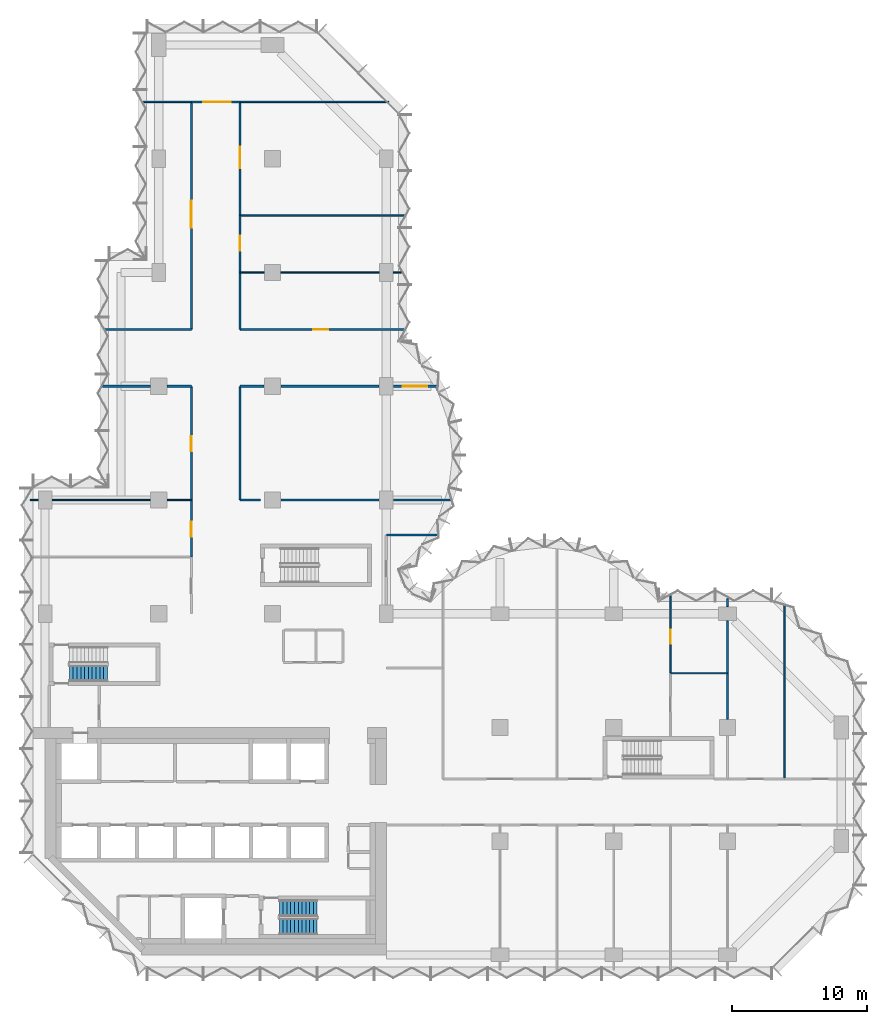
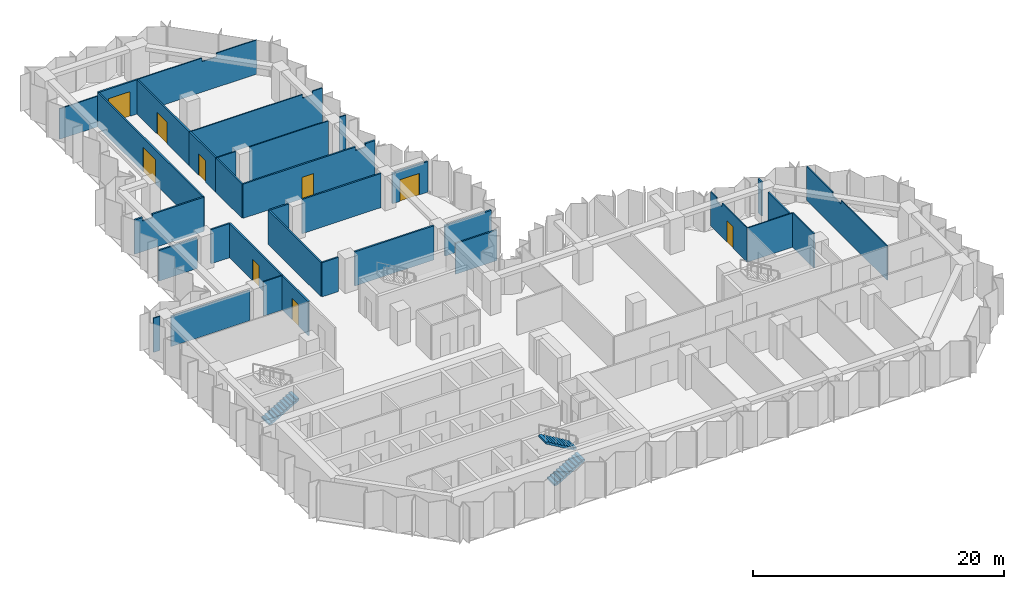
# One storey, part 8 of 11: 34 walls, 9 doors, 3 stair flights, 9 openings, 2 elements without a shape of their own.
"""IFC4 building model written with IfcOpenShell, lengths in metres."""

from ifc_helpers import new_model, si_unit, direction, frame, frame_2d, origin, place, context, subcontext, project, spatial, polyline, rectangle, outline, extrude, material, layer, layer_set, type_object, element, fill, aggregate, save


model = new_model("IFC4")

# Units and contexts
model_context = context("Model", 3, precision=1e-05, world=origin(), true_north=direction((0.0, 1.0)))
body_context = subcontext(model_context, "Body", "Model", "MODEL_VIEW")
ifc_project = project(units=[si_unit("LENGTHUNIT", "METRE"), si_unit("AREAUNIT", "SQUARE_METRE"), si_unit("VOLUMEUNIT", "CUBIC_METRE"), si_unit("PLANEANGLEUNIT", "RADIAN"), si_unit("MASSUNIT", "GRAM", prefix="KILO")], contexts=[model_context])

# Site, building, storey
site_placement = place(None, origin())
site = spatial("IfcSite", under=ifc_project, at=site_placement, CompositionType="ELEMENT")
building_placement = place(site_placement, origin())
building = spatial("IfcBuilding", under=site, at=building_placement, Name="Brevane Broadcast Tower", CompositionType="ELEMENT")
storey_placement = place(building_placement, frame((0.0, 0.0, 149.300048828125)))
storey = spatial("IfcBuildingStorey", under=building, at=storey_placement, Name="L37", CompositionType="ELEMENT", Elevation=149.300048828125)

# Wall, opening, door
ifc_material_1 = material(Name="Gypsum board partition")
ifc_layer_1 = layer(ifc_material_1, 0.10009765625)
ifc_layer_set_1 = layer_set([ifc_layer_1], Name="PARTITION 100 STUD")
wall_type_1 = type_object("IfcWallType", Name="PARTITION 100 STUD", PredefinedType="PARTITIONING", material=ifc_layer_set_1)
wall_1_placement = place(storey_placement, frame((46.199951171875, 26.56494140625, 0.0), z_axis=(0.0, 0.0, 1.0), x_axis=(0.0, -1.0, 0.0)))
wall_1 = element("IfcWall", 1, at=wall_1_placement, inside=storey, type_object=wall_type_1, Name="Partition G11-031", PredefinedType="PARTITIONING", context=body_context, shape_type="SweptSolid", body=[
    extrude(outline(polyline([(0.0, 0.0), (5.764892578125, 0.0), (5.764892578125, 3.329833984375), (1.81494140625, 3.329833984375), (1.81298828125, 2.97998046875), (0.9169921875, 2.97998046875), (0.9150390625, 3.329833984375), (0.264892578125, 3.329833984375), (0.0, 3.329833984375), (0.0, 0.0)])), frame((0.0, 0.050048828125, 0.0), z_axis=(0.0, -1.0, 0.0), x_axis=(1.0, 0.0, 0.0)), (0.0, 0.0, 1.0), 0.10009765625),
])
opening_1_placement = place(wall_1_placement, frame((2.56494140625, 0.0, 0.0)))
opening_1 = element("IfcOpeningElement", 2, at=opening_1_placement, cuts=wall_1, Name="Opening D18-011", PredefinedType="OPENING", context=body_context, shape_type="SweptSolid", body=[
    extrude(rectangle(XDim=1.0, YDim=2.10009765625, at=frame_2d((0.5, 1.050048828125))), frame((0.0, 0.06005859375, 0.0), z_axis=(0.0, -1.0, 0.0), x_axis=(1.0, 0.0, 0.0)), (0.0, 0.0, 1.0), 0.1201171875),
])
ifc_material_2 = material(Name="Timber door leaf", Category="wood")
door_type_1 = type_object("IfcDoorType", Name="DOOR SINGLE 1000 INTERNAL", OperationType="SINGLE_SWING_LEFT", PredefinedType="DOOR", material=ifc_material_2)
door_1_placement = place(opening_1_placement, origin())
door_1 = element("IfcDoor", 3, at=door_1_placement, inside=storey, type_object=door_type_1, Name="Door D18-011", OperationType="SINGLE_SWING_LEFT", OverallHeight=2.10009765625, OverallWidth=1.0, PredefinedType="DOOR", context=body_context, shape_type="SweptSolid", body=[
    extrude(rectangle(XDim=1.0, YDim=2.10009765625, at=frame_2d((0.5, 1.050048828125))), frame((0.0, 0.02490234375, 0.0), z_axis=(0.0, -1.0, 0.0), x_axis=(1.0, 0.0, 0.0)), (0.0, 0.0, 1.0), 0.050048828125),
])
fill(opening_1, door_1)

# Walls
wall_2_placement = place(storey_placement, frame((46.199951171875, 20.800048828125, 0.0), z_axis=(0.0, 0.0, 1.0), x_axis=(1.0, 0.0, 0.0)))
element("IfcWall", 4, at=wall_2_placement, inside=storey, type_object=wall_type_1, Name="Partition G11-032", PredefinedType="PARTITIONING", context=body_context, shape_type="SweptSolid", body=[
    extrude(rectangle(XDim=4.199951171875, YDim=0.10009765625, at=frame_2d((2.10009765625, 0.0))), origin(), (0.0, 0.0, 1.0), 3.329833984375),
])
wall_3_placement = place(storey_placement, frame((54.60009765625, 25.805419921875, 0.0), z_axis=(0.0, 0.0, 1.0), x_axis=(0.0, -1.0, 0.0)))
element("IfcWall", 5, at=wall_3_placement, inside=storey, type_object=wall_type_1, Name="Partition G11-037", PredefinedType="PARTITIONING", context=body_context, shape_type="SweptSolid", body=[
    extrude(outline(polyline([(0.0, 0.0), (12.805419921875, 0.0), (12.805419921875, 3.329833984375), (5.47119140625, 3.329833984375), (5.468994140625, 2.97998046875), (4.1416015625, 2.97998046875), (4.1396484375, 3.329833984375), (0.405517578125, 3.329833984375), (0.0, 3.329833984375), (0.0, 0.0)])), frame((0.0, 0.050048828125, 0.0), z_axis=(0.0, -1.0, 0.0), x_axis=(1.0, 0.0, 0.0)), (0.0, 0.0, 1.0), 0.10009765625),
])
wall_4_placement = place(storey_placement, frame((10.800048828125, 63.0, 0.0), z_axis=(0.0, 0.0, 1.0), x_axis=(-1.0, 0.0, 0.0)))
element("IfcWall", 6, at=wall_4_placement, inside=storey, type_object=wall_type_1, Name="Partition G11-050", PredefinedType="PARTITIONING", context=body_context, shape_type="SweptSolid", body=[
    extrude(rectangle(XDim=3.573974609375, YDim=0.10009765625, at=frame_2d((1.787109375, 0.0))), origin(), (0.0, 0.0, 1.0), 2.97998046875),
])
wall_5_placement = place(storey_placement, frame((25.39990234375, 63.0, 0.0), z_axis=(0.0, 0.0, 1.0), x_axis=(-1.0, 0.0, 0.0)))
element("IfcWall", 7, at=wall_5_placement, inside=storey, type_object=wall_type_1, Name="Partition G11-051", PredefinedType="PARTITIONING", context=body_context, shape_type="SweptSolid", body=[
    extrude(outline(polyline([(0.0, 0.0), (11.0, 0.0), (11.0, 3.329833984375), (5.065673828125, 3.329833984375), (5.063720703125, 2.97998046875), (3.736328125, 2.97998046875), (3.734375, 3.329833984375), (0.0, 3.329833984375), (0.0, 0.0)])), frame((0.0, 0.050048828125, 0.0), z_axis=(0.0, -1.0, 0.0), x_axis=(1.0, 0.0, 0.0)), (0.0, 0.0, 1.0), 0.10009765625),
])
wall_6_placement = place(storey_placement, frame((-1.10009765625, 33.60009765625, 0.0), z_axis=(0.0, 0.0, 1.0), x_axis=(1.0, 0.0, 0.0)))
element("IfcWall", 8, at=wall_6_placement, inside=storey, type_object=wall_type_1, Name="Partition G11-056", PredefinedType="PARTITIONING", context=body_context, shape_type="SweptSolid", body=[
    extrude(rectangle(XDim=0.580078125, YDim=0.10009765625, at=frame_2d((0.2900390625, 0.0))), origin(), (0.0, 0.0, 1.0), 3.329833984375),
])
wall_7_placement = place(storey_placement, frame((0.52001953125, 33.60009765625, 0.0), z_axis=(0.0, 0.0, 1.0), x_axis=(1.0, 0.0, 0.0)))
element("IfcWall", 9, at=wall_7_placement, inside=storey, type_object=wall_type_1, Name="Partition G11-057", PredefinedType="PARTITIONING", context=body_context, shape_type="SweptSolid", body=[
    extrude(outline(polyline([(0.0, 0.0), (7.260009765625, 0.0), (7.260009765625, 2.97998046875), (0.0, 2.97998046875), (0.0, 0.0)])), frame((0.0, 0.050048828125, 0.0), z_axis=(0.0, -1.0, 0.0), x_axis=(1.0, 0.0, 0.0)), (0.0, 0.0, 1.0), 0.10009765625),
])
for number, where, z_axis, x_axis, name in (
    (10, (9.02001953125, 33.60009765625, 0.0), (0.0, 0.0, 1.0), (1.0, 0.0, 0.0), "Partition G11-058"),
    (11, (14.39990234375, 50.39990234375, 0.0), (0.0, 0.0, 1.0), (1.0, 0.0, 0.0), "Partition G11-063"),
):
    element("IfcWall", number, at=place(storey_placement, frame(where, z_axis=z_axis, x_axis=x_axis)), inside=storey, type_object=wall_type_1, Name=name, PredefinedType="PARTITIONING", context=body_context, shape_type="SweptSolid", body=[
        extrude(rectangle(XDim=1.780029296875, YDim=0.10009765625, at=frame_2d((0.89013671875, 0.0))), origin(), (0.0, 0.0, 1.0), 3.329833984375),
    ])
wall_8_placement = place(storey_placement, frame((17.419921875, 50.39990234375, 0.0), z_axis=(0.0, 0.0, 1.0), x_axis=(1.0, 0.0, 0.0)))
element("IfcWall", 12, at=wall_8_placement, inside=storey, type_object=wall_type_1, Name="Partition G11-064", PredefinedType="PARTITIONING", context=body_context, shape_type="SweptSolid", body=[
    extrude(rectangle(XDim=7.260009765625, YDim=0.10009765625, at=frame_2d((3.6298828125, 0.0))), origin(), (0.0, 0.0, 1.0), 3.329833984375),
])
wall_9_placement = place(storey_placement, frame((25.719970703125, 50.39990234375, 0.0), z_axis=(0.0, 0.0, 1.0), x_axis=(1.0, 0.0, 0.0)))
element("IfcWall", 13, at=wall_9_placement, inside=storey, type_object=wall_type_1, Name="Partition G11-065", PredefinedType="PARTITIONING", context=body_context, shape_type="SweptSolid", body=[
    extrude(rectangle(XDim=0.580078125, YDim=0.10009765625, at=frame_2d((0.2900390625, 0.0))), origin(), (0.0, 0.0, 1.0), 3.329833984375),
])
wall_10_placement = place(storey_placement, frame((14.39990234375, 54.60009765625, 0.0), z_axis=(0.0, 0.0, 1.0), x_axis=(1.0, 0.0, 0.0)))
element("IfcWall", 14, at=wall_10_placement, inside=storey, type_object=wall_type_1, Name="Partition G11-066", PredefinedType="PARTITIONING", context=body_context, shape_type="SweptSolid", body=[
    extrude(outline(polyline([(0.0, 0.0), (12.1650390625, 0.0), (12.1650390625, 3.329833984375), (11.89990234375, 3.329833984375), (11.25, 3.329833984375), (11.248046875, 2.97998046875), (10.35205078125, 2.97998046875), (10.35009765625, 3.329833984375), (0.0, 3.329833984375), (0.0, 0.0)])), frame((0.0, 0.050048828125, 0.0), z_axis=(0.0, -1.0, 0.0), x_axis=(1.0, 0.0, 0.0)), (0.0, 0.0, 1.0), 0.10009765625),
])
ifc_layer_2 = layer(ifc_material_1, 0.125)
ifc_layer_set_2 = layer_set([ifc_layer_2], Name="PARTITION 125 ACOUSTIC")
wall_type_2 = type_object("IfcWallType", Name="PARTITION 125 ACOUSTIC", PredefinedType="PARTITIONING", material=ifc_layer_set_2)
wall_11_placement = place(storey_placement, frame((50.39990234375, 20.800048828125, 0.0), z_axis=(0.0, 0.0, 1.0), x_axis=(0.0, -1.0, 0.0)))
element("IfcWall", 15, at=wall_11_placement, inside=storey, type_object=wall_type_2, Name="Partition G11-033", PredefinedType="PARTITIONING", context=body_context, shape_type="SweptSolid", body=[
    extrude(rectangle(XDim=3.380126953125, YDim=0.125, at=frame_2d((1.68994140625, 0.0))), origin(), (0.0, 0.0, 1.0), 3.329833984375),
])
wall_12_placement = place(storey_placement, frame((50.39990234375, 26.300048828125, 0.0), z_axis=(0.0, 0.0, 1.0), x_axis=(0.0, -1.0, 0.0)))
element("IfcWall", 16, at=wall_12_placement, inside=storey, type_object=wall_type_2, Name="Partition G11-035", PredefinedType="PARTITIONING", context=body_context, shape_type="SweptSolid", body=[
    extrude(rectangle(XDim=0.580078125, YDim=0.125, at=frame_2d((0.2900390625, 0.0))), origin(), (0.0, 0.0, 1.0), 3.329833984375),
])
wall_13_placement = place(storey_placement, frame((50.39990234375, 24.679931640625, 0.0), z_axis=(0.0, 0.0, 1.0), x_axis=(0.0, -1.0, 0.0)))
element("IfcWall", 17, at=wall_13_placement, inside=storey, type_object=wall_type_2, Name="Partition G11-036", PredefinedType="PARTITIONING", context=body_context, shape_type="SweptSolid", body=[
    extrude(rectangle(XDim=3.8798828125, YDim=0.125, at=frame_2d((1.93994140625, 0.0))), origin(), (0.0, 0.0, 1.0), 2.97998046875),
])
ifc_layer_3 = layer(ifc_material_1, 0.14990234375)
ifc_layer_set_3 = layer_set([ifc_layer_3], Name="PARTITION 150 EI 60")
wall_type_3 = type_object("IfcWallType", Name="PARTITION 150 EI 60", PredefinedType="PARTITIONING", material=ifc_layer_set_3)
wall_14_placement = place(storey_placement, frame((25.199951171875, 31.0, 0.0), z_axis=(0.0, 0.0, 1.0), x_axis=(1.0, 0.0, 0.0)))
element("IfcWall", 18, at=wall_14_placement, inside=storey, type_object=wall_type_3, Name="Partition G11-006", PredefinedType="PARTITIONING", context=body_context, shape_type="SweptSolid", body=[
    extrude(rectangle(XDim=3.80615234375, YDim=0.14990234375, at=frame_2d((1.903076171875, 0.0))), origin(), (0.0, 0.0, 1.0), 2.97998046875),
])

# Wall, opening, door
wall_15_placement = place(storey_placement, frame((10.800048828125, 29.39990234375, 0.0), z_axis=(0.0, 0.0, 1.0), x_axis=(0.0, 1.0, 0.0)))
wall_15 = element("IfcWall", 19, at=wall_15_placement, inside=storey, type_object=wall_type_3, Name="Partition G11-039", PredefinedType="PARTITIONING", context=body_context, shape_type="SweptSolid", body=[
    extrude(rectangle(XDim=4.2001953125, YDim=0.14990234375, at=frame_2d((2.10009765625, 0.0))), origin(), (0.0, 0.0, 1.0), 3.329833984375),
])
opening_2_placement = place(wall_15_placement, frame((1.5, 0.0, 0.0)))
opening_2 = element("IfcOpeningElement", 20, at=opening_2_placement, cuts=wall_15, Name="Opening D18-016", PredefinedType="OPENING", context=body_context, shape_type="SweptSolid", body=[
    extrude(rectangle(XDim=1.10009765625, YDim=2.10009765625, at=frame_2d((0.550048828125, 1.050048828125))), frame((0.0, 0.0849609375, 0.0), z_axis=(0.0, -1.0, 0.0), x_axis=(1.0, 0.0, 0.0)), (0.0, 0.0, 1.0), 0.169921875),
])
ifc_material_3 = material(Name="Fire-rated timber door leaf", Category="wood")
door_type_2 = type_object("IfcDoorType", Name="DOOR SINGLE 1100 FD30S", OperationType="SINGLE_SWING_LEFT", PredefinedType="DOOR", material=ifc_material_3)
door_2_placement = place(opening_2_placement, origin())
door_2 = element("IfcDoor", 21, at=door_2_placement, inside=storey, type_object=door_type_2, Name="Door D18-016", OperationType="SINGLE_SWING_LEFT", OverallHeight=2.10009765625, OverallWidth=1.10009765625, PredefinedType="DOOR", context=body_context, shape_type="SweptSolid", body=[
    extrude(rectangle(XDim=1.10009765625, YDim=2.10009765625, at=frame_2d((0.550048828125, 1.050048828125))), frame((0.0, 0.02490234375, 0.0), z_axis=(0.0, -1.0, 0.0), x_axis=(1.0, 0.0, 0.0)), (0.0, 0.0, 1.0), 0.050048828125),
])
fill(opening_2, door_2)

# Walls
wall_16_placement = place(storey_placement, frame((14.39990234375, 33.60009765625, 0.0), z_axis=(0.0, 0.0, 1.0), x_axis=(1.0, 0.0, 0.0)))
element("IfcWall", 22, at=wall_16_placement, inside=storey, type_object=wall_type_3, Name="Partition G11-040", PredefinedType="PARTITIONING", context=body_context, shape_type="SweptSolid", body=[
    extrude(rectangle(XDim=1.5, YDim=0.14990234375, at=frame_2d((0.75, 0.0))), origin(), (0.0, 0.0, 1.0), 3.329833984375),
])
wall_17_placement = place(storey_placement, frame((17.419921875, 33.60009765625, 0.0), z_axis=(0.0, 0.0, 1.0), x_axis=(1.0, 0.0, 0.0)))
element("IfcWall", 23, at=wall_17_placement, inside=storey, type_object=wall_type_3, Name="Partition G11-041", PredefinedType="PARTITIONING", context=body_context, shape_type="SweptSolid", body=[
    extrude(rectangle(XDim=7.260009765625, YDim=0.14990234375, at=frame_2d((3.6298828125, 0.0))), origin(), (0.0, 0.0, 1.0), 3.329833984375),
])
wall_18_placement = place(storey_placement, frame((25.719970703125, 33.60009765625, 0.0), z_axis=(0.0, 0.0, 1.0), x_axis=(1.0, 0.0, 0.0)))
element("IfcWall", 24, at=wall_18_placement, inside=storey, type_object=wall_type_3, Name="Partition G11-042", PredefinedType="PARTITIONING", context=body_context, shape_type="SweptSolid", body=[
    extrude(rectangle(XDim=4.268310546875, YDim=0.14990234375, at=frame_2d((2.13427734375, 0.0))), origin(), (0.0, 0.0, 1.0), 2.97998046875),
])

# Wall, opening, door
wall_19_placement = place(storey_placement, frame((10.800048828125, 63.0, 0.0), z_axis=(0.0, 0.0, 1.0), x_axis=(1.0, 0.0, 0.0)))
wall_19 = element("IfcWall", 25, at=wall_19_placement, inside=storey, type_object=wall_type_3, Name="Partition G11-043", PredefinedType="PARTITIONING", context=body_context, shape_type="SweptSolid", body=[
    extrude(rectangle(XDim=3.599853515625, YDim=0.14990234375, at=frame_2d((1.7998046875, 0.0))), origin(), (0.0, 0.0, 1.0), 3.329833984375),
])
opening_3_placement = place(wall_19_placement, frame((0.89990234375, 0.0, 0.0)))
opening_3 = element("IfcOpeningElement", 26, at=opening_3_placement, cuts=wall_19, Name="Opening D18-014", PredefinedType="OPENING", context=body_context, shape_type="SweptSolid", body=[
    extrude(rectangle(XDim=2.0, YDim=2.39990234375, at=frame_2d((1.0, 1.199951171875))), frame((0.0, 0.0849609375, 0.0), z_axis=(0.0, -1.0, 0.0), x_axis=(1.0, 0.0, 0.0)), (0.0, 0.0, 1.0), 0.169921875),
])
door_type_3 = type_object("IfcDoorType", Name="DOOR DOUBLE 2000 FD30S", OperationType="DOUBLE_DOOR_SINGLE_SWING", PredefinedType="DOOR", material=ifc_material_3)
door_3_placement = place(opening_3_placement, origin())
door_3 = element("IfcDoor", 27, at=door_3_placement, inside=storey, type_object=door_type_3, Name="Door D18-014", OperationType="DOUBLE_DOOR_SINGLE_SWING", OverallHeight=2.39990234375, OverallWidth=2.0, PredefinedType="DOOR", context=body_context, shape_type="SweptSolid", body=[
    extrude(rectangle(XDim=2.0, YDim=2.39990234375, at=frame_2d((1.0, 1.199951171875))), frame((0.0, 0.02490234375, 0.0), z_axis=(0.0, -1.0, 0.0), x_axis=(1.0, 0.0, 0.0)), (0.0, 0.0, 1.0), 0.050048828125),
])
fill(opening_3, door_3)

wall_20_placement = place(storey_placement, frame((10.800048828125, 33.60009765625, 0.0), z_axis=(0.0, 0.0, 1.0), x_axis=(0.0, 1.0, 0.0)))
wall_20 = element("IfcWall", 28, at=wall_20_placement, inside=storey, type_object=wall_type_3, Name="Partition G11-044", PredefinedType="PARTITIONING", context=body_context, shape_type="SweptSolid", body=[
    extrude(rectangle(XDim=8.39990234375, YDim=0.14990234375, at=frame_2d((4.199951171875, 0.0))), origin(), (0.0, 0.0, 1.0), 3.329833984375),
])
opening_4_placement = place(wall_20_placement, frame((3.60009765625, 0.0, 0.0)))
opening_4 = element("IfcOpeningElement", 29, at=opening_4_placement, cuts=wall_20, Name="Opening D18-017", PredefinedType="OPENING", context=body_context, shape_type="SweptSolid", body=[
    extrude(rectangle(XDim=1.10009765625, YDim=2.10009765625, at=frame_2d((0.550048828125, 1.050048828125))), frame((0.0, 0.0849609375, 0.0), z_axis=(0.0, -1.0, 0.0), x_axis=(1.0, 0.0, 0.0)), (0.0, 0.0, 1.0), 0.169921875),
])
door_4_placement = place(opening_4_placement, origin())
door_4 = element("IfcDoor", 30, at=door_4_placement, inside=storey, type_object=door_type_2, Name="Door D18-017", OperationType="SINGLE_SWING_LEFT", OverallHeight=2.10009765625, OverallWidth=1.10009765625, PredefinedType="DOOR", context=body_context, shape_type="SweptSolid", body=[
    extrude(rectangle(XDim=1.10009765625, YDim=2.10009765625, at=frame_2d((0.550048828125, 1.050048828125))), frame((0.0, 0.02490234375, 0.0), z_axis=(0.0, -1.0, 0.0), x_axis=(1.0, 0.0, 0.0)), (0.0, 0.0, 1.0), 0.050048828125),
])
fill(opening_4, door_4)

wall_21_placement = place(storey_placement, frame((10.800048828125, 46.199951171875, 0.0), z_axis=(0.0, 0.0, 1.0), x_axis=(0.0, 1.0, 0.0)))
wall_21 = element("IfcWall", 31, at=wall_21_placement, inside=storey, type_object=wall_type_3, Name="Partition G11-045", PredefinedType="PARTITIONING", context=body_context, shape_type="SweptSolid", body=[
    extrude(rectangle(XDim=16.800048828125, YDim=0.14990234375, at=frame_2d((8.39990234375, 0.0))), origin(), (0.0, 0.0, 1.0), 3.329833984375),
])
opening_5_placement = place(wall_21_placement, frame((7.5, 0.0, 0.0)))
opening_5 = element("IfcOpeningElement", 32, at=opening_5_placement, cuts=wall_21, Name="Opening D18-018", PredefinedType="OPENING", context=body_context, shape_type="SweptSolid", body=[
    extrude(rectangle(XDim=2.0, YDim=2.39990234375, at=frame_2d((1.0, 1.199951171875))), frame((0.0, 0.0849609375, 0.0), z_axis=(0.0, -1.0, 0.0), x_axis=(1.0, 0.0, 0.0)), (0.0, 0.0, 1.0), 0.169921875),
])
door_5_placement = place(opening_5_placement, origin())
door_5 = element("IfcDoor", 33, at=door_5_placement, inside=storey, type_object=door_type_3, Name="Door D18-018", OperationType="DOUBLE_DOOR_SINGLE_SWING", OverallHeight=2.39990234375, OverallWidth=2.0, PredefinedType="DOOR", context=body_context, shape_type="SweptSolid", body=[
    extrude(rectangle(XDim=2.0, YDim=2.39990234375, at=frame_2d((1.0, 1.199951171875))), frame((0.0, 0.02490234375, 0.0), z_axis=(0.0, -1.0, 0.0), x_axis=(1.0, 0.0, 0.0)), (0.0, 0.0, 1.0), 0.050048828125),
])
fill(opening_5, door_5)

# Walls
wall_22_placement = place(storey_placement, frame((14.39990234375, 42.0, 0.0), z_axis=(0.0, 0.0, 1.0), x_axis=(0.0, -1.0, 0.0)))
element("IfcWall", 34, at=wall_22_placement, inside=storey, type_object=wall_type_3, Name="Partition G11-046", PredefinedType="PARTITIONING", context=body_context, shape_type="SweptSolid", body=[
    extrude(rectangle(XDim=8.39990234375, YDim=0.14990234375, at=frame_2d((4.199951171875, 0.0))), origin(), (0.0, 0.0, 1.0), 3.329833984375),
])
wall_23_placement = place(storey_placement, frame((14.39990234375, 50.39990234375, 0.0), z_axis=(0.0, 0.0, 1.0), x_axis=(0.0, -1.0, 0.0)))
element("IfcWall", 35, at=wall_23_placement, inside=storey, type_object=wall_type_3, Name="Partition G11-047", PredefinedType="PARTITIONING", context=body_context, shape_type="SweptSolid", body=[
    extrude(rectangle(XDim=4.199951171875, YDim=0.14990234375, at=frame_2d((2.10009765625, 0.0))), origin(), (0.0, 0.0, 1.0), 3.329833984375),
])

# Wall, opening, door
wall_24_placement = place(storey_placement, frame((14.39990234375, 54.60009765625, 0.0), z_axis=(0.0, 0.0, 1.0), x_axis=(0.0, -1.0, 0.0)))
wall_24 = element("IfcWall", 36, at=wall_24_placement, inside=storey, type_object=wall_type_3, Name="Partition G11-048", PredefinedType="PARTITIONING", context=body_context, shape_type="SweptSolid", body=[
    extrude(rectangle(XDim=4.2001953125, YDim=0.14990234375, at=frame_2d((2.10009765625, 0.0))), origin(), (0.0, 0.0, 1.0), 3.329833984375),
])
opening_6_placement = place(wall_24_placement, frame((1.5, 0.0, 0.0)))
opening_6 = element("IfcOpeningElement", 37, at=opening_6_placement, cuts=wall_24, Name="Opening D18-021", PredefinedType="OPENING", context=body_context, shape_type="SweptSolid", body=[
    extrude(rectangle(XDim=1.10009765625, YDim=2.10009765625, at=frame_2d((0.550048828125, 1.050048828125))), frame((0.0, 0.0849609375, 0.0), z_axis=(0.0, -1.0, 0.0), x_axis=(1.0, 0.0, 0.0)), (0.0, 0.0, 1.0), 0.169921875),
])
door_6_placement = place(opening_6_placement, origin())
door_6 = element("IfcDoor", 38, at=door_6_placement, inside=storey, type_object=door_type_2, Name="Door D18-021", OperationType="SINGLE_SWING_LEFT", OverallHeight=2.10009765625, OverallWidth=1.10009765625, PredefinedType="DOOR", context=body_context, shape_type="SweptSolid", body=[
    extrude(rectangle(XDim=1.10009765625, YDim=2.10009765625, at=frame_2d((0.550048828125, 1.050048828125))), frame((0.0, 0.02490234375, 0.0), z_axis=(0.0, -1.0, 0.0), x_axis=(1.0, 0.0, 0.0)), (0.0, 0.0, 1.0), 0.050048828125),
])
fill(opening_6, door_6)

wall_25_placement = place(storey_placement, frame((14.39990234375, 63.0, 0.0), z_axis=(0.0, 0.0, 1.0), x_axis=(0.0, -1.0, 0.0)))
wall_25 = element("IfcWall", 39, at=wall_25_placement, inside=storey, type_object=wall_type_3, Name="Partition G11-049", PredefinedType="PARTITIONING", context=body_context, shape_type="SweptSolid", body=[
    extrude(rectangle(XDim=8.39990234375, YDim=0.14990234375, at=frame_2d((4.199951171875, 0.0))), origin(), (0.0, 0.0, 1.0), 3.329833984375),
])
opening_7_placement = place(wall_25_placement, frame((3.300048828125, 0.0, 0.0)))
opening_7 = element("IfcOpeningElement", 40, at=opening_7_placement, cuts=wall_25, Name="Opening D18-022", PredefinedType="OPENING", context=body_context, shape_type="SweptSolid", body=[
    extrude(rectangle(XDim=1.60009765625, YDim=2.10009765625, at=frame_2d((0.800048828125, 1.050048828125))), frame((0.0, 0.0849609375, 0.0), z_axis=(0.0, -1.0, 0.0), x_axis=(1.0, 0.0, 0.0)), (0.0, 0.0, 1.0), 0.169921875),
])
door_type_4 = type_object("IfcDoorType", Name="DOOR DOUBLE 1600 FD30S", OperationType="DOUBLE_DOOR_SINGLE_SWING", PredefinedType="DOOR", material=ifc_material_3)
door_7_placement = place(opening_7_placement, origin())
door_7 = element("IfcDoor", 41, at=door_7_placement, inside=storey, type_object=door_type_4, Name="Door D18-022", OperationType="DOUBLE_DOOR_SINGLE_SWING", OverallHeight=2.10009765625, OverallWidth=1.60009765625, PredefinedType="DOOR", context=body_context, shape_type="SweptSolid", body=[
    extrude(rectangle(XDim=1.60009765625, YDim=2.10009765625, at=frame_2d((0.800048828125, 1.050048828125))), frame((0.0, 0.02490234375, 0.0), z_axis=(0.0, -1.0, 0.0), x_axis=(1.0, 0.0, 0.0)), (0.0, 0.0, 1.0), 0.050048828125),
])
fill(opening_7, door_7)

# Walls
wall_26_placement = place(storey_placement, frame((10.800048828125, 42.0, 0.0), z_axis=(0.0, 0.0, 1.0), x_axis=(-1.0, 0.0, 0.0)))
element("IfcWall", 42, at=wall_26_placement, inside=storey, type_object=wall_type_3, Name="Partition G11-052", PredefinedType="PARTITIONING", context=body_context, shape_type="SweptSolid", body=[
    extrude(rectangle(XDim=1.780029296875, YDim=0.14990234375, at=frame_2d((0.89013671875, 0.0))), origin(), (0.0, 0.0, 1.0), 3.329833984375),
])
wall_27_placement = place(storey_placement, frame((7.780029296875, 42.0, 0.0), z_axis=(0.0, 0.0, 1.0), x_axis=(-1.0, 0.0, 0.0)))
element("IfcWall", 43, at=wall_27_placement, inside=storey, type_object=wall_type_3, Name="Partition G11-053", PredefinedType="PARTITIONING", context=body_context, shape_type="SweptSolid", body=[
    extrude(rectangle(XDim=3.544921875, YDim=0.14990234375, at=frame_2d((1.7724609375, 0.0))), origin(), (0.0, 0.0, 1.0), 2.97998046875),
])
wall_28_placement = place(storey_placement, frame((4.426025390625, 46.199951171875, 0.0), z_axis=(0.0, 0.0, 1.0), x_axis=(1.0, 0.0, 0.0)))
element("IfcWall", 44, at=wall_28_placement, inside=storey, type_object=wall_type_3, Name="Partition G11-054", PredefinedType="PARTITIONING", context=body_context, shape_type="SweptSolid", body=[
    extrude(outline(polyline([(0.0, 0.0), (6.3740234375, 0.0), (6.3740234375, 3.329833984375), (1.6240234375, 3.329833984375), (1.6220703125, 2.97998046875), (0.72607421875, 2.97998046875), (0.72412109375, 3.329833984375), (0.073974609375, 3.329833984375), (0.0, 3.329833984375), (0.0, 0.0)])), frame((0.0, 0.074951171875, 0.0), z_axis=(0.0, -1.0, 0.0), x_axis=(1.0, 0.0, 0.0)), (0.0, 0.0, 1.0), 0.14990234375),
])

# Wall, opening, door
wall_29_placement = place(storey_placement, frame((29.011474609375, 42.0, 0.0), z_axis=(0.0, 0.0, 1.0), x_axis=(-1.0, 0.0, 0.0)))
wall_29 = element("IfcWall", 45, at=wall_29_placement, inside=storey, type_object=wall_type_3, Name="Partition G11-059", PredefinedType="PARTITIONING", context=body_context, shape_type="SweptSolid", body=[
    extrude(rectangle(XDim=3.29150390625, YDim=0.14990234375, at=frame_2d((1.645751953125, 0.0))), origin(), (0.0, 0.0, 1.0), 2.97998046875),
])
opening_8_placement = place(wall_29_placement, frame((0.800048828125, 0.0, 0.0)))
opening_8 = element("IfcOpeningElement", 46, at=opening_8_placement, cuts=wall_29, Name="Opening D18-019", PredefinedType="OPENING", context=body_context, shape_type="SweptSolid", body=[
    extrude(rectangle(XDim=1.800048828125, YDim=2.10009765625, at=frame_2d((0.89990234375, 1.050048828125))), frame((0.0, 0.0849609375, 0.0), z_axis=(0.0, -1.0, 0.0), x_axis=(1.0, 0.0, 0.0)), (0.0, 0.0, 1.0), 0.169921875),
])
door_type_5 = type_object("IfcDoorType", Name="DOOR DOUBLE 1800 FD30S", OperationType="DOUBLE_DOOR_SINGLE_SWING", PredefinedType="DOOR", material=ifc_material_3)
door_8_placement = place(opening_8_placement, origin())
door_8 = element("IfcDoor", 47, at=door_8_placement, inside=storey, type_object=door_type_5, Name="Door D18-019", OperationType="DOUBLE_DOOR_SINGLE_SWING", OverallHeight=2.10009765625, OverallWidth=1.800048828125, PredefinedType="DOOR", context=body_context, shape_type="SweptSolid", body=[
    extrude(rectangle(XDim=1.800048828125, YDim=2.10009765625, at=frame_2d((0.89990234375, 1.050048828125))), frame((0.0, 0.02490234375, 0.0), z_axis=(0.0, -1.0, 0.0), x_axis=(1.0, 0.0, 0.0)), (0.0, 0.0, 1.0), 0.050048828125),
])
fill(opening_8, door_8)

# Walls
wall_30_placement = place(storey_placement, frame((24.679931640625, 42.0, 0.0), z_axis=(0.0, 0.0, 1.0), x_axis=(-1.0, 0.0, 0.0)))
element("IfcWall", 48, at=wall_30_placement, inside=storey, type_object=wall_type_3, Name="Partition G11-060", PredefinedType="PARTITIONING", context=body_context, shape_type="SweptSolid", body=[
    extrude(rectangle(XDim=7.260009765625, YDim=0.14990234375, at=frame_2d((3.6298828125, 0.0))), origin(), (0.0, 0.0, 1.0), 3.329833984375),
])
wall_31_placement = place(storey_placement, frame((16.179931640625, 42.0, 0.0), z_axis=(0.0, 0.0, 1.0), x_axis=(-1.0, 0.0, 0.0)))
element("IfcWall", 49, at=wall_31_placement, inside=storey, type_object=wall_type_3, Name="Partition G11-061", PredefinedType="PARTITIONING", context=body_context, shape_type="SweptSolid", body=[
    extrude(rectangle(XDim=1.780029296875, YDim=0.14990234375, at=frame_2d((0.89013671875, 0.0))), origin(), (0.0, 0.0, 1.0), 3.329833984375),
])

# Wall, opening, door
wall_32_placement = place(storey_placement, frame((14.39990234375, 46.199951171875, 0.0), z_axis=(0.0, 0.0, 1.0), x_axis=(1.0, 0.0, 0.0)))
wall_32 = element("IfcWall", 50, at=wall_32_placement, inside=storey, type_object=wall_type_3, Name="Partition G11-062", PredefinedType="PARTITIONING", context=body_context, shape_type="SweptSolid", body=[
    extrude(outline(polyline([(0.0, 0.0), (12.1650390625, 0.0), (12.1650390625, 3.329833984375), (11.89990234375, 3.329833984375), (11.25, 3.329833984375), (11.248046875, 2.97998046875), (10.35205078125, 2.97998046875), (10.35009765625, 3.329833984375), (0.0, 3.329833984375), (0.0, 0.0)])), frame((0.0, 0.074951171875, 0.0), z_axis=(0.0, -1.0, 0.0), x_axis=(1.0, 0.0, 0.0)), (0.0, 0.0, 1.0), 0.14990234375),
])
opening_9_placement = place(wall_32_placement, frame((5.39990234375, 0.0, 0.0)))
opening_9 = element("IfcOpeningElement", 51, at=opening_9_placement, cuts=wall_32, Name="Opening D18-020", PredefinedType="OPENING", context=body_context, shape_type="SweptSolid", body=[
    extrude(rectangle(XDim=1.10009765625, YDim=2.10009765625, at=frame_2d((0.550048828125, 1.050048828125))), frame((0.0, 0.0849609375, 0.0), z_axis=(0.0, -1.0, 0.0), x_axis=(1.0, 0.0, 0.0)), (0.0, 0.0, 1.0), 0.169921875),
])
door_9_placement = place(opening_9_placement, origin())
door_9 = element("IfcDoor", 52, at=door_9_placement, inside=storey, type_object=door_type_2, Name="Door D18-020", OperationType="SINGLE_SWING_LEFT", OverallHeight=2.10009765625, OverallWidth=1.10009765625, PredefinedType="DOOR", context=body_context, shape_type="SweptSolid", body=[
    extrude(rectangle(XDim=1.10009765625, YDim=2.10009765625, at=frame_2d((0.550048828125, 1.050048828125))), frame((0.0, 0.02490234375, 0.0), z_axis=(0.0, -1.0, 0.0), x_axis=(1.0, 0.0, 0.0)), (0.0, 0.0, 1.0), 0.050048828125),
])
fill(opening_9, door_9)

# Stair, stair flight
ifc_material_4 = material(Name="Concrete C50/60", Category="concrete")
stair_type = type_object("IfcStairType", Name="Exit stair 22 risers", PredefinedType="HALF_TURN_STAIR", material=ifc_material_4)
stair_1_placement = place(storey_placement, origin())
stair_1 = element("IfcStair", 53, at=stair_1_placement, inside=storey, type_object=stair_type, Name="L37 Exit stair ST-1", PredefinedType="HALF_TURN_STAIR")
stair_flight_type = type_object("IfcStairFlightType", Name="Exit stair flight 22 risers", PredefinedType="STRAIGHT", material=ifc_material_4)
stair_flight_1_placement = place(storey_placement, frame((1.800048828125, 20.800048828125, 0.0), z_axis=(0.0, 0.0, 1.0), x_axis=(1.0, 0.0, 0.0)))
stair_flight_1 = element("IfcStairFlight", 54, at=stair_flight_1_placement, type_object=stair_flight_type, Name="ST-1 flight 1", NumberOfRisers=11, NumberOfTreads=10, PredefinedType="STRAIGHT", RiserHeight=0.163636364, TreadLength=0.28, context=body_context, shape_type="SweptSolid", body=[
    extrude(outline(polyline([(0.0, 0.0), (0.0, 0.16357421875), (0.280029296875, 0.16357421875), (0.280029296875, 0.327392578125), (0.56005859375, 0.327392578125), (0.56005859375, 0.490966796875), (0.840087890625, 0.490966796875), (0.840087890625, 0.654541015625), (1.1201171875, 0.654541015625), (1.1201171875, 0.818115234375), (1.39990234375, 0.818115234375), (1.39990234375, 0.98193359375), (1.679931640625, 0.98193359375), (1.679931640625, 1.1455078125), (1.9599609375, 1.1455078125), (1.9599609375, 1.30908203125), (2.239990234375, 1.30908203125), (2.239990234375, 1.47265625), (2.52001953125, 1.47265625), (2.52001953125, 1.636474609375), (2.800048828125, 1.636474609375), (2.800048828125, 1.800048828125), (2.800048828125, 1.462646484375), (0.297119140625, 0.0), (0.0, 0.0)])), frame((0.0, 0.60009765625, 0.0), z_axis=(0.0, -1.0, 0.0), x_axis=(1.0, 0.0, 0.0)), (0.0, 0.0, 1.0), 1.199951171875),
])
aggregate(stair_1, [stair_flight_1])

# Stair, stair flights
stair_2_placement = place(storey_placement, origin())
stair_2 = element("IfcStair", 55, at=stair_2_placement, inside=storey, type_object=stair_type, Name="L37 Exit stair ST-2", PredefinedType="HALF_TURN_STAIR")
stair_flight_2_placement = place(storey_placement, frame((17.300048828125, 2.10009765625, 0.0), z_axis=(0.0, 0.0, 1.0), x_axis=(1.0, 0.0, 0.0)))
stair_flight_2 = element("IfcStairFlight", 56, at=stair_flight_2_placement, type_object=stair_flight_type, Name="ST-2 flight 1", NumberOfRisers=11, NumberOfTreads=10, PredefinedType="STRAIGHT", RiserHeight=0.163636364, TreadLength=0.28, context=body_context, shape_type="SweptSolid", body=[
    extrude(outline(polyline([(0.0, 0.0), (0.0, 0.16357421875), (0.280029296875, 0.16357421875), (0.280029296875, 0.327392578125), (0.56005859375, 0.327392578125), (0.56005859375, 0.490966796875), (0.840087890625, 0.490966796875), (0.840087890625, 0.654541015625), (1.1201171875, 0.654541015625), (1.1201171875, 0.818115234375), (1.39990234375, 0.818115234375), (1.39990234375, 0.98193359375), (1.679931640625, 0.98193359375), (1.679931640625, 1.1455078125), (1.9599609375, 1.1455078125), (1.9599609375, 1.30908203125), (2.239990234375, 1.30908203125), (2.239990234375, 1.47265625), (2.52001953125, 1.47265625), (2.52001953125, 1.636474609375), (2.800048828125, 1.636474609375), (2.800048828125, 1.800048828125), (2.800048828125, 1.462646484375), (0.297119140625, 0.0), (0.0, 0.0)])), frame((0.0, 0.60009765625, 0.0), z_axis=(0.0, -1.0, 0.0), x_axis=(1.0, 0.0, 0.0)), (0.0, 0.0, 1.0), 1.199951171875),
])
stair_flight_3_placement = place(storey_placement, frame((20.10009765625, 3.449951171875, 1.800048828125), z_axis=(0.0, 0.0, 1.0), x_axis=(-1.0, 0.0, 0.0)))
stair_flight_3 = element("IfcStairFlight", 57, at=stair_flight_3_placement, type_object=stair_flight_type, Name="ST-2 flight 2", NumberOfRisers=11, NumberOfTreads=10, PredefinedType="STRAIGHT", RiserHeight=0.163636364, TreadLength=0.28, context=body_context, shape_type="SweptSolid", body=[
    extrude(outline(polyline([(0.0, 0.0), (0.0, 0.16357421875), (0.280029296875, 0.16357421875), (0.280029296875, 0.327392578125), (0.56005859375, 0.327392578125), (0.56005859375, 0.490966796875), (0.840087890625, 0.490966796875), (0.840087890625, 0.654541015625), (1.1201171875, 0.654541015625), (1.1201171875, 0.818115234375), (1.39990234375, 0.818115234375), (1.39990234375, 0.98193359375), (1.679931640625, 0.98193359375), (1.679931640625, 1.1455078125), (1.9599609375, 1.1455078125), (1.9599609375, 1.30908203125), (2.239990234375, 1.30908203125), (2.239990234375, 1.47265625), (2.52001953125, 1.47265625), (2.52001953125, 1.636474609375), (2.800048828125, 1.636474609375), (2.800048828125, 1.800048828125), (2.800048828125, 1.462646484375), (0.297119140625, 0.0), (0.0, 0.0)])), frame((0.0, 0.60009765625, 0.0), z_axis=(0.0, -1.0, 0.0), x_axis=(1.0, 0.0, 0.0)), (0.0, 0.0, 1.0), 1.199951171875),
])
aggregate(stair_2, [stair_flight_2, stair_flight_3])

save(model, "model.ifc")
